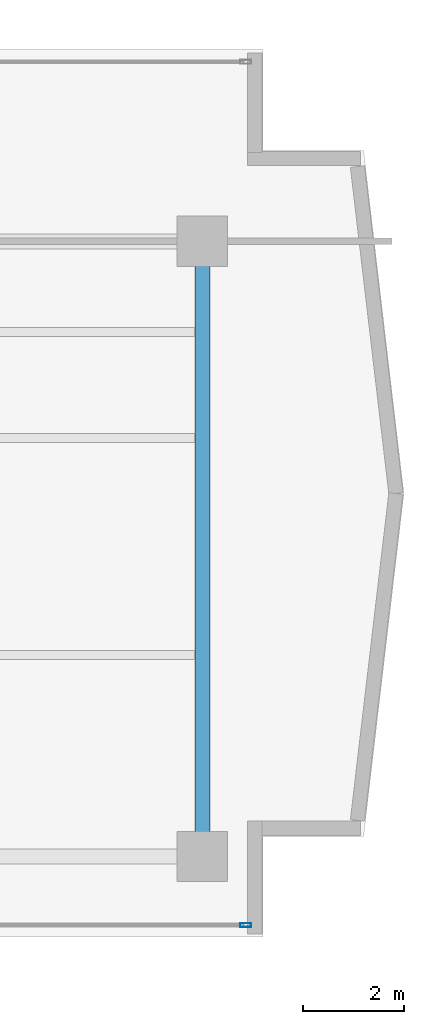
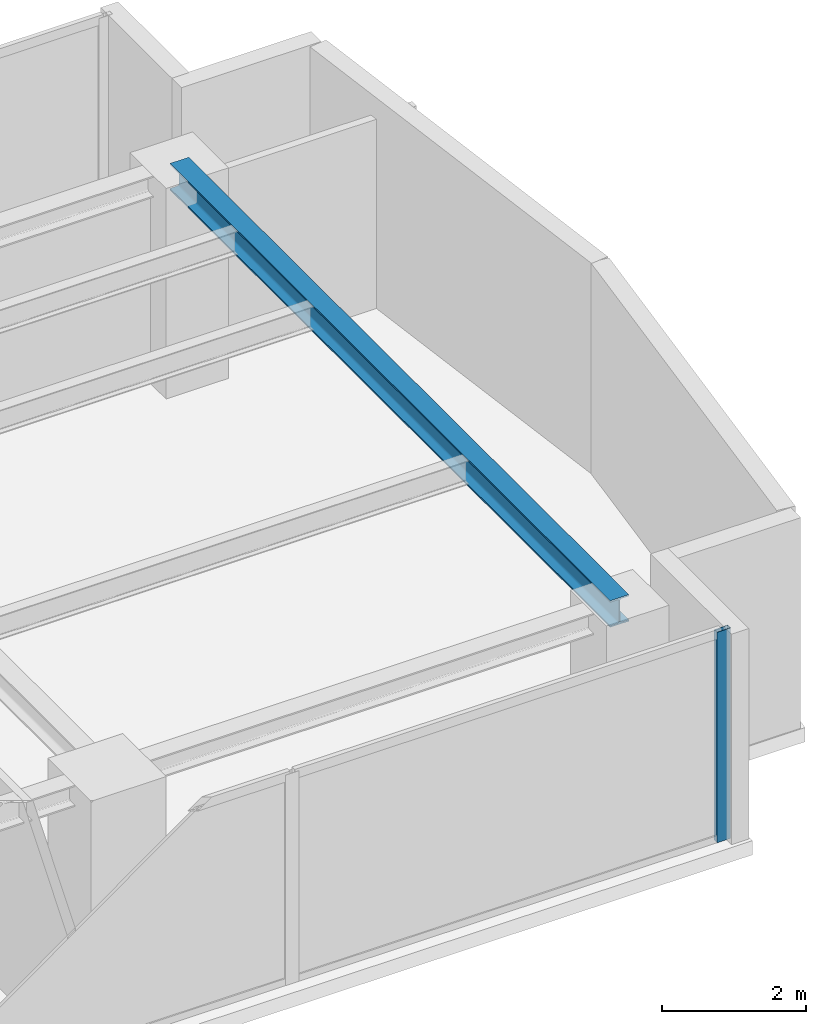
# One storey, part 12 of 24: 1 beam, 1 member, 1 element without a shape of its own.
"""IFC4 building model written with IfcOpenShell, lengths in metres."""

from ifc_helpers import new_model, si_unit, direction, frame, origin, origin_with_axes, origin_2d, place, context, subcontext, project, spatial, hollow_rectangle, i_section, extrude, source, transform, mapped, material, layer, layer_set, material_profile, profile_set, type_object, element, aggregate, save


model = new_model("IFC4")

# Units and contexts
model_context = context("Model", 3, precision=1e-05, world=origin(), true_north=direction((0.0, 1.0)))
body_context = subcontext(model_context, "Body", "Model", "MODEL_VIEW")
ifc_project = project(units=[si_unit("LENGTHUNIT", "METRE"), si_unit("AREAUNIT", "SQUARE_METRE"), si_unit("VOLUMEUNIT", "CUBIC_METRE"), si_unit("PLANEANGLEUNIT", "RADIAN"), si_unit("MASSUNIT", "GRAM", prefix="KILO")], contexts=[model_context])

# Site, building, storey
site_placement = place(None, origin())
site = spatial("IfcSite", under=ifc_project, at=site_placement, CompositionType="ELEMENT")
building_placement = place(site_placement, origin())
building = spatial("IfcBuilding", under=site, at=building_placement, Name="Kolvaren Waterfront Exchange", CompositionType="ELEMENT")
storey_placement = place(building_placement, frame((0.0, 0.0, 169.0)))
storey = spatial("IfcBuildingStorey", under=building, at=storey_placement, Name="L43", CompositionType="ELEMENT", Elevation=169.0)

# Beam
ifc_material_1 = material(Name="Steel S355", Category="steel")
ifc_material_profile_1 = material_profile(ifc_material_1, i_section(OverallWidth=0.300048828125, OverallDepth=0.449951171875, WebThickness=0.013916015625, FlangeThickness=0.02587890625, FilletRadius=0.027099609375, at=origin_2d()), Name="HEB450")
ifc_profile_set_1 = profile_set([ifc_material_profile_1], Name="Steel S355")
beam_type = type_object("IfcBeamType", Name="STR-BM-HEB450", PredefinedType="BEAM", material=ifc_profile_set_1)
beam_placement = place(storey_placement, frame((53.800048828125, 5.199951171875, 3.3349609375), z_axis=(0.0, 1.0, 0.0), x_axis=(-1.0, 0.0, 0.0)))
element("IfcBeam", 1, at=beam_placement, inside=storey, type_object=beam_type, Name="L43 east-arm transverse girder X53", PredefinedType="BEAM", context=body_context, shape_type="SweptSolid", body=[
    extrude(i_section(OverallWidth=0.300048828125, OverallDepth=0.449951171875, WebThickness=0.013916015625, FlangeThickness=0.02587890625, FilletRadius=0.027099609375, at=origin_2d()), origin(), (0.0, 0.0, 1.0), 12.199951171875),
])

# Curtain wall, member
ifc_material_2 = material(Name="Anodised bronze aluminium 6063-T6", Category="aluminium")
ifc_layer = layer(ifc_material_2, 0.219970703125, Name="Anodised bronze aluminium 6063-T6")
ifc_layer_set = layer_set([ifc_layer], Name="Anodised bronze aluminium 6063-T6")
curtain_wall_type = type_object("IfcCurtainWallType", Name="ARC-CW-SYS1", PredefinedType="USERDEFINED", material=ifc_layer_set)
curtain_wall_placement = place(storey_placement, origin())
curtain_wall = element("IfcCurtainWall", 2, at=curtain_wall_placement, inside=storey, type_object=curtain_wall_type, Name="L43 stick curtain wall CW1 (CW-L43-S)", ObjectType="STICK CURTAIN WALL", PredefinedType="USERDEFINED")
ifc_material_3 = material(Name="Anodised aluminium 6063-T6", Category="aluminium")
ifc_material_profile_2 = material_profile(ifc_material_3, hollow_rectangle(XDim=0.080078125, YDim=0.219970703125, WallThickness=0.0048828125, at=origin_2d()), Name="ALU-MUL-220x80x5")
ifc_profile_set_2 = profile_set([ifc_material_profile_2], Name="Anodised aluminium 6063-T6")
member_type = type_object("IfcMemberType", Name="ARC-CWM-220", PredefinedType="MULLION", material=ifc_profile_set_2)
shared_shape = source(origin_with_axes(), body_context, "Body", "SweptSolid", [
    extrude(hollow_rectangle(XDim=0.080078125, YDim=0.219970703125, WallThickness=0.0048828125, at=origin_2d()), origin(), (0.0, 0.0, 1.0), 3.56005859375),
])
member_placement = place(storey_placement, frame((54.659912109375, 3.840087890625, 0.0), z_axis=(0.0, 0.0, 1.0), x_axis=(0.0, 1.0, 0.0)))
member = element("IfcMember", 3, at=member_placement, type_object=member_type, Name="CW1 mullion 8", PredefinedType="MULLION", context=body_context, shape_type="MappedRepresentation", body=[
    mapped(shared_shape, transform((0.0, 0.0, 0.0), x_axis=(1.0, 0.0, 0.0), y_axis=(0.0, 1.0, 0.0), z_axis=(0.0, 0.0, 1.0), scale=1.0)),
])
aggregate(curtain_wall, [member])

save(model, "model.ifc")
